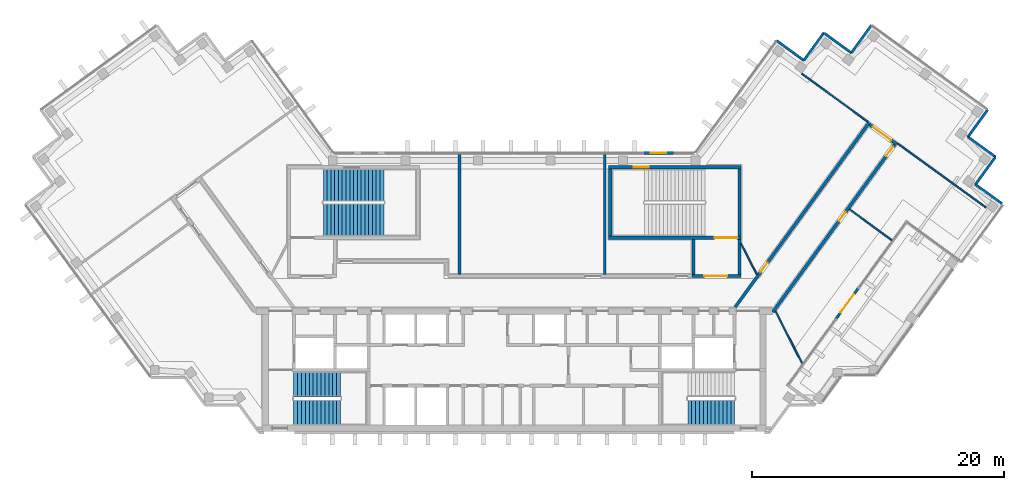
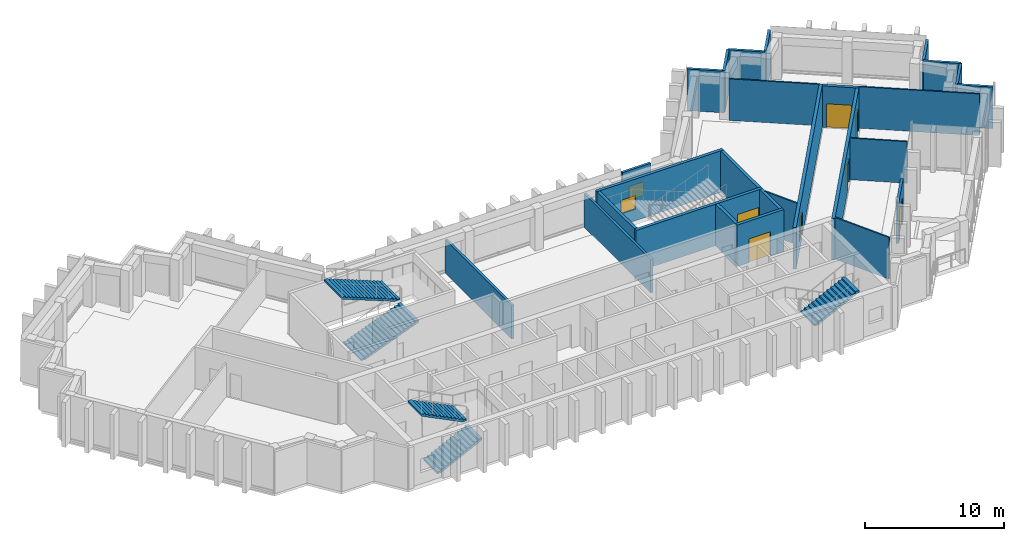
# One storey, part 8 of 11: 27 walls, 7 doors, 5 stair flights, 2 windows, 9 openings, 3 elements without a shape of their own.
"""IFC4 building model written with IfcOpenShell, lengths in metres."""

from ifc_helpers import new_model, si_unit, direction, frame, frame_2d, origin, place, context, subcontext, project, spatial, polyline, rectangle, outline, extrude, material, layer, layer_set, type_object, element, fill, aggregate, save


model = new_model("IFC4")

# Units and contexts
model_context = context("Model", 3, precision=1e-05, world=origin(), true_north=direction((0.0, 1.0)))
body_context = subcontext(model_context, "Body", "Model", "MODEL_VIEW")
ifc_project = project(units=[si_unit("LENGTHUNIT", "METRE"), si_unit("AREAUNIT", "SQUARE_METRE"), si_unit("VOLUMEUNIT", "CUBIC_METRE"), si_unit("PLANEANGLEUNIT", "RADIAN"), si_unit("MASSUNIT", "GRAM", prefix="KILO")], contexts=[model_context])

# Site, building, storey
site_placement = place(None, origin())
site = spatial("IfcSite", under=ifc_project, at=site_placement, CompositionType="ELEMENT")
building_placement = place(site_placement, origin())
building = spatial("IfcBuilding", under=site, at=building_placement, Name="Quipu Civic Tower", CompositionType="ELEMENT")
storey_placement = place(building_placement, frame((0.0, 0.0, 319.0)))
storey = spatial("IfcBuildingStorey", under=building, at=storey_placement, Name="L74", CompositionType="ELEMENT", Elevation=319.0)

# Walls
ifc_material_1 = material(Name="Fired clay blockwork", Category="masonry")
ifc_layer_1 = layer(ifc_material_1, 0.199951171875)
ifc_layer_set_1 = layer_set([ifc_layer_1], Name="Fired clay blockwork")
wall_type_1 = type_object("IfcWallType", Name="Blockwork wall 200", PredefinedType="SOLIDWALL", material=ifc_layer_set_1)
for number, where, z_axis, x_axis, name in (
    (1, (-4.339111328125, 1.449951171875, 0.0), (0.0, 0.0, 1.0), (0.0, 1.0, 0.0), "Partition P04"),
    (2, (7.197998046875, 1.449951171875, 0.0), (0.0, 0.0, 1.0), (-0.002377476217, 0.999997173799, 0.0), "Partition P08"),
):
    element("IfcWall", number, at=place(storey_placement, frame(where, z_axis=z_axis, x_axis=x_axis)), inside=storey, type_object=wall_type_1, Name=name, PredefinedType="SOLIDWALL", context=body_context, shape_type="SweptSolid", body=[
        extrude(rectangle(XDim=9.550048828125, YDim=0.199951171875, at=frame_2d((4.77490234375, 0.0))), origin(), (0.0, 0.0, 1.0), 2.949951171875),
    ])

# Wall, opening, door
ifc_material_2 = material(Name="Concrete C70/85", Category="concrete")
ifc_layer_2 = layer(ifc_material_2, 0.25)
ifc_layer_set_2 = layer_set([ifc_layer_2], Name="Concrete C70/85")
wall_type_2 = type_object("IfcWallType", Name="Core wall 250", PredefinedType="SHEAR", material=ifc_layer_set_2)
wall_1_placement = place(storey_placement, frame((14.10009765625, 1.324951171875, 0.0), z_axis=(0.0, 0.0, 1.0), x_axis=(1.0, 0.0, 0.0)))
wall_1 = element("IfcWall", 3, at=wall_1_placement, inside=storey, type_object=wall_type_2, Name="Core wall", PredefinedType="SHEAR", context=body_context, shape_type="SweptSolid", body=[
    extrude(rectangle(XDim=3.89990234375, YDim=0.25, at=frame_2d((1.949951171875, 0.0))), origin(), (0.0, 0.0, 1.0), 3.64990234375),
])
opening_1_placement = place(wall_1_placement, frame((1.0, 0.0, 0.0)))
opening_1 = element("IfcOpeningElement", 4, at=opening_1_placement, cuts=wall_1, Name="Opening CD-30", PredefinedType="OPENING", context=body_context, shape_type="SweptSolid", body=[
    extrude(rectangle(XDim=1.800048828125, YDim=2.10009765625, at=frame_2d((0.89990234375, 1.050048828125))), frame((0.0, 0.135009765625, 0.0), z_axis=(0.0, -1.0, 0.0), x_axis=(1.0, 0.0, 0.0)), (0.0, 0.0, 1.0), 0.27001953125),
])
ifc_material_3 = material(Name="Fire rated steel door", Category="steel")
door_type_1 = type_object("IfcDoorType", Name="Fire door FD90 double 1800 x 2100", OperationType="NOTDEFINED", PredefinedType="DOOR", material=ifc_material_3)
door_1_placement = place(opening_1_placement, origin())
door_1 = element("IfcDoor", 5, at=door_1_placement, inside=storey, type_object=door_type_1, Name="Lobby door", OperationType="DOUBLE_DOOR_SINGLE_SWING", OverallHeight=2.10009765625, OverallWidth=1.800048828125, PredefinedType="DOOR", context=body_context, shape_type="SweptSolid", body=[
    extrude(rectangle(XDim=1.800048828125, YDim=2.10009765625, at=frame_2d((0.89990234375, 1.050048828125))), frame((0.0, 0.02490234375, 0.0), z_axis=(0.0, -1.0, 0.0), x_axis=(1.0, 0.0, 0.0)), (0.0, 0.0, 1.0), 0.050048828125),
])
fill(opening_1, door_1)

# Walls
for number, where, z_axis, x_axis, name in (
    (6, (14.22509765625, 1.449951171875, 0.0), (0.0, 0.0, 1.0), (0.0, 1.0, 0.0), "Core wall"),
    (7, (17.875, 1.449951171875, 0.0), (0.0, 0.0, 1.0), (0.0, 1.0, 0.0), "Core wall"),
):
    element("IfcWall", number, at=place(storey_placement, frame(where, z_axis=z_axis, x_axis=x_axis)), inside=storey, type_object=wall_type_2, Name=name, PredefinedType="SHEAR", context=body_context, shape_type="SweptSolid", body=[
        extrude(rectangle(XDim=2.800048828125, YDim=0.25, at=frame_2d((1.39990234375, 0.0))), origin(), (0.0, 0.0, 1.0), 3.64990234375),
    ])

# Wall, opening, door
wall_2_placement = place(storey_placement, frame((7.5, 4.375, 0.0), z_axis=(0.0, 0.0, 1.0), x_axis=(1.0, 0.0, 0.0)))
wall_2 = element("IfcWall", 8, at=wall_2_placement, inside=storey, type_object=wall_type_2, Name="Core wall", PredefinedType="SHEAR", context=body_context, shape_type="SweptSolid", body=[
    extrude(rectangle(XDim=10.5, YDim=0.25, at=frame_2d((5.25, 0.0))), origin(), (0.0, 0.0, 1.0), 3.64990234375),
])
opening_2_placement = place(wall_2_placement, frame((8.39990234375, 0.0, 0.0)))
opening_2 = element("IfcOpeningElement", 9, at=opening_2_placement, cuts=wall_2, Name="Opening CD-31", PredefinedType="OPENING", context=body_context, shape_type="SweptSolid", body=[
    extrude(rectangle(XDim=1.800048828125, YDim=2.10009765625, at=frame_2d((0.89990234375, 1.050048828125))), frame((0.0, 0.135009765625, 0.0), z_axis=(0.0, -1.0, 0.0), x_axis=(1.0, 0.0, 0.0)), (0.0, 0.0, 1.0), 0.27001953125),
])
door_2_placement = place(opening_2_placement, origin())
door_2 = element("IfcDoor", 10, at=door_2_placement, inside=storey, type_object=door_type_1, Name="Door", OperationType="DOUBLE_DOOR_SINGLE_SWING", OverallHeight=2.10009765625, OverallWidth=1.800048828125, PredefinedType="DOOR", context=body_context, shape_type="SweptSolid", body=[
    extrude(rectangle(XDim=1.800048828125, YDim=2.10009765625, at=frame_2d((0.89990234375, 1.050048828125))), frame((0.0, 0.02490234375, 0.0), z_axis=(0.0, -1.0, 0.0), x_axis=(1.0, 0.0, 0.0)), (0.0, 0.0, 1.0), 0.050048828125),
])
fill(opening_2, door_2)

# Walls
for number, where, z_axis, x_axis, name in (
    (11, (7.625, 4.5, 0.0), (0.0, 0.0, 1.0), (0.0, 1.0, 0.0), "Core wall"),
    (12, (17.875, 4.5, 0.0), (0.0, 0.0, 1.0), (0.0, 1.0, 0.0), "Core wall"),
):
    element("IfcWall", number, at=place(storey_placement, frame(where, z_axis=z_axis, x_axis=x_axis)), inside=storey, type_object=wall_type_2, Name=name, PredefinedType="SHEAR", context=body_context, shape_type="SweptSolid", body=[
        extrude(rectangle(XDim=5.35009765625, YDim=0.25, at=frame_2d((2.675048828125, 0.0))), origin(), (0.0, 0.0, 1.0), 3.64990234375),
    ])

# Wall, opening, window
wall_3_placement = place(storey_placement, frame((7.5, 9.97509765625, 0.0), z_axis=(0.0, 0.0, 1.0), x_axis=(1.0, 0.0, 0.0)))
wall_3 = element("IfcWall", 13, at=wall_3_placement, inside=storey, type_object=wall_type_2, Name="Core wall", PredefinedType="SHEAR", context=body_context, shape_type="SweptSolid", body=[
    extrude(rectangle(XDim=10.5, YDim=0.25, at=frame_2d((5.25, 0.0))), origin(), (0.0, 0.0, 1.0), 3.64990234375),
])
opening_3_placement = place(wall_3_placement, frame((2.0, 0.0, 1.0)))
opening_3 = element("IfcOpeningElement", 14, at=opening_3_placement, cuts=wall_3, Name="Opening SV-4", PredefinedType="OPENING", context=body_context, shape_type="SweptSolid", body=[
    extrude(rectangle(XDim=1.199951171875, YDim=1.199951171875, at=frame_2d((0.60009765625, 0.60009765625))), frame((0.0, 0.135009765625, 0.0), z_axis=(0.0, -1.0, 0.0), x_axis=(1.0, 0.0, 0.0)), (0.0, 0.0, 1.0), 0.27001953125),
])
ifc_material_4 = material(Name="Aluminium louvre", Category="aluminium")
window_type_1 = type_object("IfcWindowType", Name="Stair ventilation louvre 1200 x 1200", PartitioningType="SINGLE_PANEL", PredefinedType="WINDOW", material=ifc_material_4)
window_1_placement = place(opening_3_placement, origin())
window_1 = element("IfcWindow", 15, at=window_1_placement, inside=storey, type_object=window_type_1, Name="Stair ventilation opening", OverallHeight=1.199951171875, OverallWidth=1.199951171875, PartitioningType="SINGLE_PANEL", PredefinedType="WINDOW", context=body_context, shape_type="SweptSolid", body=[
    extrude(rectangle(XDim=1.199951171875, YDim=1.199951171875, at=frame_2d((0.60009765625, 0.60009765625))), frame((0.0, 0.030029296875, 0.0), z_axis=(0.0, -1.0, 0.0), x_axis=(1.0, 0.0, 0.0)), (0.0, 0.0, 1.0), 0.06005859375),
])
fill(opening_3, window_1)

# Wall, opening, door
ifc_material_5 = material(Name="Concrete C50/60", Category="concrete")
ifc_layer_3 = layer(ifc_material_5, 0.25)
ifc_layer_set_3 = layer_set([ifc_layer_3], Name="Concrete C50/60")
wall_type_3 = type_object("IfcWallType", Name="Corridor wall 250 concrete", PredefinedType="SOLIDWALL", material=ifc_layer_set_3)
wall_4_placement = place(storey_placement, frame((17.544921875, -1.124755859375, 0.0), z_axis=(0.0, 0.0, 1.0), x_axis=(0.58779555165, 0.809009511354, 0.0)))
wall_4 = element("IfcWall", 16, at=wall_4_placement, inside=storey, type_object=wall_type_3, Name="Corridor wall C01", PredefinedType="SOLIDWALL", context=body_context, shape_type="SweptSolid", body=[
    extrude(rectangle(XDim=18.10302734375, YDim=0.25, at=frame_2d((9.051513671875, 0.0))), origin(), (0.0, 0.0, 1.0), 3.64990234375),
])
opening_4_placement = place(wall_4_placement, frame((3.44140625, 0.0, 0.0)))
opening_4 = element("IfcOpeningElement", 17, at=opening_4_placement, cuts=wall_4, Name="Opening D001", PredefinedType="OPENING", context=body_context, shape_type="SweptSolid", body=[
    extrude(rectangle(XDim=0.89990234375, YDim=2.10009765625, at=frame_2d((0.449951171875, 1.050048828125))), frame((0.0, 0.135009765625, 0.0), z_axis=(0.0, -1.0, 0.0), x_axis=(1.0, 0.0, 0.0)), (0.0, 0.0, 1.0), 0.27001953125),
])
ifc_material_6 = material(Name="Fire rated timber door set with metal frame", Category="wood")
door_type_2 = type_object("IfcDoorType", Name="Single door 900 x 2100 FD60", OperationType="NOTDEFINED", PredefinedType="DOOR", material=ifc_material_6)
door_3_placement = place(opening_4_placement, origin())
door_3 = element("IfcDoor", 18, at=door_3_placement, inside=storey, type_object=door_type_2, Name="Door D001", OperationType="SINGLE_SWING_LEFT", OverallHeight=2.10009765625, OverallWidth=0.89990234375, PredefinedType="DOOR", context=body_context, shape_type="SweptSolid", body=[
    extrude(rectangle(XDim=0.89990234375, YDim=2.10009765625, at=frame_2d((0.449951171875, 1.050048828125))), frame((0.0, 0.02490234375, 0.0), z_axis=(0.0, -1.0, 0.0), x_axis=(1.0, 0.0, 0.0)), (0.0, 0.0, 1.0), 0.050048828125),
])
fill(opening_4, door_3)

wall_5_placement = place(storey_placement, frame((28.21337890625, 13.34619140625, 0.0), z_axis=(0.0, 0.0, 1.0), x_axis=(0.809006914995, -0.587799125119, 0.0)))
wall_5 = element("IfcWall", 19, at=wall_5_placement, inside=storey, type_object=wall_type_3, Name="Corridor wall C02", PredefinedType="SOLIDWALL", context=body_context, shape_type="SweptSolid", body=[
    extrude(rectangle(XDim=2.64990234375, YDim=0.25, at=frame_2d((1.324951171875, 0.0))), origin(), (0.0, 0.0, 1.0), 3.64990234375),
])
opening_5_placement = place(wall_5_placement, frame((0.30029296875, 0.0, 0.0)))
opening_5 = element("IfcOpeningElement", 20, at=opening_5_placement, cuts=wall_5, Name="Opening D004", PredefinedType="OPENING", context=body_context, shape_type="SweptSolid", body=[
    extrude(rectangle(XDim=1.800048828125, YDim=2.10009765625, at=frame_2d((0.89990234375, 1.050048828125))), frame((0.0, 0.135009765625, 0.0), z_axis=(0.0, -1.0, 0.0), x_axis=(1.0, 0.0, 0.0)), (0.0, 0.0, 1.0), 0.27001953125),
])
ifc_material_7 = material(Name="Fire rated timber door set with metal frame", Category="wood")
door_type_3 = type_object("IfcDoorType", Name="Double door 1800 x 2100 FD60", OperationType="DOUBLE_DOOR_SINGLE_SWING", PredefinedType="DOOR", material=ifc_material_7)
door_4_placement = place(opening_5_placement, origin())
door_4 = element("IfcDoor", 21, at=door_4_placement, inside=storey, type_object=door_type_3, Name="Door D004", OperationType="DOUBLE_DOOR_SINGLE_SWING", OverallHeight=2.10009765625, OverallWidth=1.800048828125, PredefinedType="DOOR", context=body_context, shape_type="SweptSolid", body=[
    extrude(rectangle(XDim=1.800048828125, YDim=2.10009765625, at=frame_2d((0.89990234375, 1.050048828125))), frame((0.0, 0.02490234375, 0.0), z_axis=(0.0, -1.0, 0.0), x_axis=(1.0, 0.0, 0.0)), (0.0, 0.0, 1.0), 0.050048828125),
])
fill(opening_5, door_4)

# Wall, openings, doors
wall_6_placement = place(storey_placement, frame((30.1826171875, 11.760986328125, 0.0), z_axis=(0.0, 0.0, 1.0), x_axis=(-0.587781762867, -0.80901952958, 0.0)))
wall_6 = element("IfcWall", 22, at=wall_6_placement, inside=storey, type_object=wall_type_3, Name="Corridor wall C03", PredefinedType="SOLIDWALL", context=body_context, shape_type="SweptSolid", body=[
    extrude(rectangle(XDim=16.42041015625, YDim=0.25, at=frame_2d((8.210205078125, 0.0))), origin(), (0.0, 0.0, 1.0), 3.64990234375),
])
opening_6_placement = place(wall_6_placement, frame((0.224609375, 0.0, 0.0)))
opening_6 = element("IfcOpeningElement", 23, at=opening_6_placement, cuts=wall_6, Name="Opening D003", PredefinedType="OPENING", context=body_context, shape_type="SweptSolid", body=[
    extrude(rectangle(XDim=0.89990234375, YDim=2.10009765625, at=frame_2d((0.449951171875, 1.050048828125))), frame((0.0, 0.135009765625, 0.0), z_axis=(0.0, -1.0, 0.0), x_axis=(1.0, 0.0, 0.0)), (0.0, 0.0, 1.0), 0.27001953125),
])
opening_7_placement = place(wall_6_placement, frame((6.604736328125, 0.0, 0.0)))
opening_7 = element("IfcOpeningElement", 24, at=opening_7_placement, cuts=wall_6, Name="Opening D002", PredefinedType="OPENING", context=body_context, shape_type="SweptSolid", body=[
    extrude(rectangle(XDim=0.89990234375, YDim=2.10009765625, at=frame_2d((0.449951171875, 1.050048828125))), frame((0.0, 0.135009765625, 0.0), z_axis=(0.0, -1.0, 0.0), x_axis=(1.0, 0.0, 0.0)), (0.0, 0.0, 1.0), 0.27001953125),
])
door_5_placement = place(opening_6_placement, origin())
door_5 = element("IfcDoor", 25, at=door_5_placement, inside=storey, type_object=door_type_2, Name="Door D003", OperationType="SINGLE_SWING_LEFT", OverallHeight=2.10009765625, OverallWidth=0.89990234375, PredefinedType="DOOR", context=body_context, shape_type="SweptSolid", body=[
    extrude(rectangle(XDim=0.89990234375, YDim=2.10009765625, at=frame_2d((0.449951171875, 1.050048828125))), frame((0.0, 0.02490234375, 0.0), z_axis=(0.0, -1.0, 0.0), x_axis=(1.0, 0.0, 0.0)), (0.0, 0.0, 1.0), 0.050048828125),
])
fill(opening_6, door_5)
door_6_placement = place(opening_7_placement, origin())
door_6 = element("IfcDoor", 26, at=door_6_placement, inside=storey, type_object=door_type_2, Name="Door D002", OperationType="SINGLE_SWING_LEFT", OverallHeight=2.10009765625, OverallWidth=0.89990234375, PredefinedType="DOOR", context=body_context, shape_type="SweptSolid", body=[
    extrude(rectangle(XDim=0.89990234375, YDim=2.10009765625, at=frame_2d((0.449951171875, 1.050048828125))), frame((0.0, 0.02490234375, 0.0), z_axis=(0.0, -1.0, 0.0), x_axis=(1.0, 0.0, 0.0)), (0.0, 0.0, 1.0), 0.050048828125),
])
fill(opening_7, door_6)

# Walls
ifc_material_8 = material(Name="Gypsum plasterboard on light gauge framing")
ifc_layer_4 = layer(ifc_material_8, 0.1201171875)
ifc_layer_set_4 = layer_set([ifc_layer_4], Name="Gypsum plasterboard on light gauge framing")
wall_type_4 = type_object("IfcWallType", Name="Partition 120 plasterboard", PredefinedType="PARTITIONING", material=ifc_layer_set_4)
wall_7_placement = place(storey_placement, frame((28.0732421875, 13.577880859375, 0.0), z_axis=(0.0, 0.0, 1.0), x_axis=(-0.809000932727, 0.587807358619, 0.0)))
element("IfcWall", 27, at=wall_7_placement, inside=storey, type_object=wall_type_4, Name="Partition P01", PredefinedType="PARTITIONING", context=body_context, shape_type="SweptSolid", body=[
    extrude(rectangle(XDim=6.49560546875, YDim=0.1201171875, at=frame_2d((3.247802734375, 0.0))), origin(), (0.0, 0.0, 1.0), 3.64990234375),
])
wall_8_placement = place(storey_placement, frame((37.4580078125, 6.759765625, 0.0), z_axis=(0.0, 0.0, 1.0), x_axis=(-0.809016295501, 0.587786214209, 0.0)))
element("IfcWall", 28, at=wall_8_placement, inside=storey, type_object=wall_type_4, Name="Partition P02", PredefinedType="PARTITIONING", context=body_context, shape_type="SweptSolid", body=[
    extrude(rectangle(XDim=8.700439453125, YDim=0.1201171875, at=frame_2d((4.35009765625, 0.0))), origin(), (0.0, 0.0, 1.0), 3.64990234375),
])
wall_9_placement = place(storey_placement, frame((26.618896484375, 6.643310546875, 0.0), z_axis=(0.0, 0.0, 1.0), x_axis=(0.805298264495, -0.592869888931, 0.0)))
element("IfcWall", 29, at=wall_9_placement, inside=storey, type_object=wall_type_4, Name="Partition P03", PredefinedType="PARTITIONING", context=body_context, shape_type="SweptSolid", body=[
    extrude(rectangle(XDim=4.150146484375, YDim=0.1201171875, at=frame_2d((2.0751953125, 0.0))), origin(), (0.0, 0.0, 1.0), 3.64990234375),
])
wall_10_placement = place(storey_placement, frame((18.0, 3.925048828125, 0.0), z_axis=(0.0, 0.0, 1.0), x_axis=(0.453950796792, -0.891026752736, 0.0)))
element("IfcWall", 30, at=wall_10_placement, inside=storey, type_object=wall_type_4, Name="Partition P09", PredefinedType="PARTITIONING", context=body_context, shape_type="SweptSolid", body=[
    extrude(rectangle(XDim=2.77783203125, YDim=0.1201171875, at=frame_2d((1.388916015625, 0.0))), origin(), (0.0, 0.0, 1.0), 3.64990234375),
])
wall_11_placement = place(storey_placement, frame((20.739013671875, -1.449951171875, 0.0), z_axis=(0.0, 0.0, 1.0), x_axis=(0.453931312426, -0.891036679155, 0.0)))
element("IfcWall", 31, at=wall_11_placement, inside=storey, type_object=wall_type_4, Name="Partition P11", PredefinedType="PARTITIONING", context=body_context, shape_type="SweptSolid", body=[
    extrude(rectangle(XDim=4.628662109375, YDim=0.1201171875, at=frame_2d((2.314453125, 0.0))), origin(), (0.0, 0.0, 1.0), 3.64990234375),
])
ifc_material_9 = material(Name="Precast concrete C40/50", Category="concrete")
wall_type_5 = type_object("IfcWallType", Name="Precast cladding wall", PredefinedType="SOLIDWALL", material=ifc_material_9)
wall_12_placement = place(storey_placement, frame((38.73291015625, 7.069091796875, 0.0), z_axis=(0.0, 0.0, 1.0), x_axis=(-0.80901210161, 0.587791986546, 0.0)))
element("IfcWall", 32, at=wall_12_placement, inside=storey, type_object=wall_type_5, Name="Precast cladding wall L74 P01", PredefinedType="SOLIDWALL", context=body_context, shape_type="SweptSolid", body=[
    extrude(rectangle(XDim=2.60009765625, YDim=0.199951171875, at=frame_2d((1.300048828125, 0.0))), origin(), (0.0, 0.0, 1.0), 3.64990234375),
])
for number, where, z_axis, x_axis, name in (
    (33, (36.60205078125, 8.580322265625, 0.0), (0.0, 0.0, 1.0), (0.587822180636, 0.808990163075, 0.0), "Precast cladding wall L74 P02"),
    (34, (38.21630859375, 10.78173828125, 0.0), (0.0, 0.0, 1.0), (-0.809033161865, 0.587762999008, 0.0), "Precast cladding wall L74 P03"),
    (35, (36.0048828125, 12.3515625, 0.0), (0.0, 0.0, 1.0), (0.587762999008, 0.809033161865, 0.0), "Precast cladding wall L74 27"),
):
    element("IfcWall", number, at=place(storey_placement, frame(where, z_axis=z_axis, x_axis=x_axis)), inside=storey, type_object=wall_type_5, Name=name, PredefinedType="SOLIDWALL", context=body_context, shape_type="SweptSolid", body=[
        extrude(rectangle(XDim=2.699951171875, YDim=0.199951171875, at=frame_2d((1.35009765625, 0.0))), origin(), (0.0, 0.0, 1.0), 3.64990234375),
    ])
for number, where, z_axis, x_axis, name in (
    (36, (28.3544921875, 21.247314453125, 0.0), (0.0, 0.0, 1.0), (-0.587720002413, -0.809064397168, 0.0), "Precast cladding wall L74 29"),
    (37, (26.78466796875, 19.03564453125, 0.0), (0.0, 0.0, 1.0), (-0.809064397168, 0.587720002413, 0.0), "Precast cladding wall L74 30"),
):
    element("IfcWall", number, at=place(storey_placement, frame(where, z_axis=z_axis, x_axis=x_axis)), inside=storey, type_object=wall_type_5, Name=name, PredefinedType="SOLIDWALL", context=body_context, shape_type="SweptSolid", body=[
        extrude(rectangle(XDim=2.7001953125, YDim=0.199951171875, at=frame_2d((1.35009765625, 0.0))), origin(), (0.0, 0.0, 1.0), 3.64990234375),
    ])
for number, where, z_axis, x_axis, name in (
    (38, (24.583251953125, 20.64990234375, 0.0), (0.0, 0.0, 1.0), (-0.587762999008, -0.809033161865, 0.0), "Precast cladding wall L74 31"),
    (39, (23.01318359375, 18.438232421875, 0.0), (0.0, 0.0, 1.0), (-0.808990163075, 0.587822180636, 0.0), "Precast cladding wall L74 32"),
):
    element("IfcWall", number, at=place(storey_placement, frame(where, z_axis=z_axis, x_axis=x_axis)), inside=storey, type_object=wall_type_5, Name=name, PredefinedType="SOLIDWALL", context=body_context, shape_type="SweptSolid", body=[
        extrude(rectangle(XDim=2.699951171875, YDim=0.199951171875, at=frame_2d((1.35009765625, 0.0))), origin(), (0.0, 0.0, 1.0), 3.64990234375),
    ])

# Wall, opening, window
wall_13_placement = place(storey_placement, frame((12.655029296875, 11.10009765625, 0.0), z_axis=(0.0, 0.0, 1.0), x_axis=(-1.0, 0.0, 0.0)))
wall_13 = element("IfcWall", 40, at=wall_13_placement, inside=storey, type_object=wall_type_5, Name="Vent surround SF-L74-2", PredefinedType="SOLIDWALL", context=body_context, shape_type="SweptSolid", body=[
    extrude(rectangle(XDim=2.3916015625, YDim=0.199951171875, at=frame_2d((1.19580078125, 0.0))), origin(), (0.0, 0.0, 1.0), 3.64990234375),
])
opening_8_placement = place(wall_13_placement, frame((0.595703125, 0.0, 1.0)))
opening_8 = element("IfcOpeningElement", 41, at=opening_8_placement, cuts=wall_13, Name="Opening SF-L74-2", PredefinedType="OPENING", context=body_context, shape_type="SweptSolid", body=[
    extrude(rectangle(XDim=1.199951171875, YDim=1.199951171875, at=frame_2d((0.60009765625, 0.60009765625))), frame((0.0, 0.10986328125, 0.0), z_axis=(0.0, -1.0, 0.0), x_axis=(1.0, 0.0, 0.0)), (0.0, 0.0, 1.0), 0.219970703125),
])
ifc_material_10 = material(Name="Anodised aluminium louvre", Category="aluminium")
window_type_2 = type_object("IfcWindowType", Name="Stair vent louvre window P3", PartitioningType="SINGLE_PANEL", PredefinedType="WINDOW", material=ifc_material_10)
window_2_placement = place(opening_8_placement, origin())
window_2 = element("IfcWindow", 42, at=window_2_placement, inside=storey, type_object=window_type_2, Name="Stair vent louvre SF-L74-2", OverallHeight=1.199951171875, OverallWidth=1.199951171875, PartitioningType="SINGLE_PANEL", PredefinedType="WINDOW", context=body_context, shape_type="SweptSolid", body=[
    extrude(rectangle(XDim=1.199951171875, YDim=1.199951171875, at=frame_2d((0.60009765625, 0.60009765625))), frame((0.0, 0.030029296875, 0.0), z_axis=(0.0, -1.0, 0.0), x_axis=(1.0, 0.0, 0.0)), (0.0, 0.0, 1.0), 0.06005859375),
])
fill(opening_8, window_2)

# Wall, opening, door
ifc_material_11 = material(Name="Precast concrete C40/50", Category="concrete")
wall_type_6 = type_object("IfcWallType", Name="Precast door surround", PredefinedType="SOLIDWALL", material=ifc_material_11)
wall_14_placement = place(storey_placement, frame((27.30419921875, 0.35595703125, 0.0), z_axis=(0.0, 0.0, 1.0), x_axis=(-0.587774760134, -0.809024617271, 0.0)))
wall_14 = element("IfcWall", 43, at=wall_14_placement, inside=storey, type_object=wall_type_6, Name="Door surround ED-L74-1", PredefinedType="SOLIDWALL", context=body_context, shape_type="SweptSolid", body=[
    extrude(rectangle(XDim=2.962890625, YDim=0.199951171875, at=frame_2d((1.4814453125, 0.0))), origin(), (0.0, 0.0, 1.0), 3.64990234375),
])
opening_9_placement = place(wall_14_placement, frame((0.58154296875, 0.0, 0.0)))
opening_9 = element("IfcOpeningElement", 44, at=opening_9_placement, cuts=wall_14, Name="Opening ED-L74-1", PredefinedType="OPENING", context=body_context, shape_type="SweptSolid", body=[
    extrude(rectangle(XDim=1.800048828125, YDim=2.39990234375, at=frame_2d((0.89990234375, 1.199951171875))), frame((0.0, 0.10986328125, 0.0), z_axis=(0.0, -1.0, 0.0), x_axis=(1.0, 0.0, 0.0)), (0.0, 0.0, 1.0), 0.219970703125),
])
ifc_material_12 = material(Name="Aluminium framed glazed door", Category="aluminium")
door_type_4 = type_object("IfcDoorType", Name="Terrace door E3", OperationType="DOUBLE_DOOR_SINGLE_SWING", PredefinedType="DOOR", material=ifc_material_12)
door_7_placement = place(opening_9_placement, origin())
door_7 = element("IfcDoor", 45, at=door_7_placement, inside=storey, type_object=door_type_4, Name="E3 door ED-L74-1", OperationType="DOUBLE_DOOR_SINGLE_SWING", OverallHeight=2.39990234375, OverallWidth=1.800048828125, PredefinedType="DOOR", context=body_context, shape_type="SweptSolid", body=[
    extrude(rectangle(XDim=1.800048828125, YDim=2.39990234375, at=frame_2d((0.89990234375, 1.199951171875))), frame((0.0, 0.02490234375, 0.0), z_axis=(0.0, -1.0, 0.0), x_axis=(1.0, 0.0, 0.0)), (0.0, 0.0, 1.0), 0.050048828125),
])
fill(opening_9, door_7)

# Stair, stair flights
ifc_material_13 = material(Name="Concrete C40/50", Category="concrete")
stair_type_1 = type_object("IfcStairType", Name="Half turn stair 2000", PredefinedType="HALF_TURN_STAIR", material=ifc_material_13)
stair_1_placement = place(storey_placement, origin())
stair_1 = element("IfcStair", 46, at=stair_1_placement, inside=storey, type_object=stair_type_1, Name="Exit stair 1", PredefinedType="HALF_TURN_STAIR")
ifc_material_14 = material(Name="Concrete C40/50", Category="concrete")
stair_flight_type_1 = type_object("IfcStairFlightType", Name="Stair flight 2000", PredefinedType="STRAIGHT", material=ifc_material_14)
stair_flight_1_placement = place(storey_placement, frame((-17.5, -9.5, 0.0), z_axis=(0.0, 0.0, 1.0), x_axis=(1.0, 0.0, 0.0)))
stair_flight_1 = element("IfcStairFlight", 47, at=stair_flight_1_placement, type_object=stair_flight_type_1, Name="ST-1 flight 1", NumberOfRisers=13, NumberOfTreads=12, PredefinedType="STRAIGHT", RiserHeight=0.153846154, TreadLength=0.31, context=body_context, shape_type="SweptSolid", body=[
    extrude(outline(polyline([(0.0, 0.0), (0.0, 0.15380859375), (0.31005859375, 0.15380859375), (0.31005859375, 0.3076171875), (0.6201171875, 0.3076171875), (0.6201171875, 0.46142578125), (0.929931640625, 0.46142578125), (0.929931640625, 0.615478515625), (1.239990234375, 0.615478515625), (1.239990234375, 0.769287109375), (1.550048828125, 0.769287109375), (1.550048828125, 0.923095703125), (1.860107421875, 0.923095703125), (1.860107421875, 1.076904296875), (2.169921875, 1.076904296875), (2.169921875, 1.230712890625), (2.47998046875, 1.230712890625), (2.47998046875, 1.384521484375), (2.7900390625, 1.384521484375), (2.7900390625, 1.53857421875), (3.10009765625, 1.53857421875), (3.10009765625, 1.6923828125), (3.409912109375, 1.6923828125), (3.409912109375, 1.84619140625), (3.719970703125, 1.84619140625), (3.719970703125, 2.0), (3.719970703125, 1.6787109375), (0.337158203125, 0.0), (0.0, 0.0)])), frame((0.0, 1.0, 0.0), z_axis=(0.0, -1.0, 0.0), x_axis=(1.0, 0.0, 0.0)), (0.0, 0.0, 1.0), 2.0),
])
stair_flight_2_placement = place(storey_placement, frame((-13.780029296875, -7.25, 2.0), z_axis=(0.0, 0.0, 1.0), x_axis=(-1.0, 0.0, 0.0)))
stair_flight_2 = element("IfcStairFlight", 48, at=stair_flight_2_placement, type_object=stair_flight_type_1, Name="ST-1 flight 2", NumberOfRisers=13, NumberOfTreads=12, PredefinedType="STRAIGHT", RiserHeight=0.153846154, TreadLength=0.31, context=body_context, shape_type="SweptSolid", body=[
    extrude(outline(polyline([(0.0, 0.0), (0.0, 0.15380859375), (0.31005859375, 0.15380859375), (0.31005859375, 0.3076171875), (0.6201171875, 0.3076171875), (0.6201171875, 0.46142578125), (0.929931640625, 0.46142578125), (0.929931640625, 0.615478515625), (1.239990234375, 0.615478515625), (1.239990234375, 0.769287109375), (1.550048828125, 0.769287109375), (1.550048828125, 0.923095703125), (1.860107421875, 0.923095703125), (1.860107421875, 1.076904296875), (2.169921875, 1.076904296875), (2.169921875, 1.230712890625), (2.47998046875, 1.230712890625), (2.47998046875, 1.384521484375), (2.7900390625, 1.384521484375), (2.7900390625, 1.53857421875), (3.10009765625, 1.53857421875), (3.10009765625, 1.6923828125), (3.409912109375, 1.6923828125), (3.409912109375, 1.84619140625), (3.719970703125, 1.84619140625), (3.719970703125, 2.0), (3.719970703125, 1.6787109375), (0.337158203125, 0.0), (0.0, 0.0)])), frame((0.0, 1.0, 0.0), z_axis=(0.0, -1.0, 0.0), x_axis=(1.0, 0.0, 0.0)), (0.0, 0.0, 1.0), 2.0),
])
aggregate(stair_1, [stair_flight_1, stair_flight_2])

# Stair, stair flight
stair_2_placement = place(storey_placement, origin())
stair_2 = element("IfcStair", 49, at=stair_2_placement, inside=storey, type_object=stair_type_1, Name="Exit stair 2", PredefinedType="HALF_TURN_STAIR")
stair_flight_3_placement = place(storey_placement, frame((13.780029296875, -9.5, 2.0), z_axis=(0.0, 0.0, 1.0), x_axis=(1.0, 0.0, 0.0)))
stair_flight_3 = element("IfcStairFlight", 50, at=stair_flight_3_placement, type_object=stair_flight_type_1, Name="ST-2 flight 2", NumberOfRisers=13, NumberOfTreads=12, PredefinedType="STRAIGHT", RiserHeight=0.153846154, TreadLength=0.31, context=body_context, shape_type="SweptSolid", body=[
    extrude(outline(polyline([(0.0, 0.0), (0.0, 0.15380859375), (0.31005859375, 0.15380859375), (0.31005859375, 0.3076171875), (0.6201171875, 0.3076171875), (0.6201171875, 0.46142578125), (0.929931640625, 0.46142578125), (0.929931640625, 0.615478515625), (1.239990234375, 0.615478515625), (1.239990234375, 0.769287109375), (1.550048828125, 0.769287109375), (1.550048828125, 0.923095703125), (1.860107421875, 0.923095703125), (1.860107421875, 1.076904296875), (2.169921875, 1.076904296875), (2.169921875, 1.230712890625), (2.47998046875, 1.230712890625), (2.47998046875, 1.384521484375), (2.7900390625, 1.384521484375), (2.7900390625, 1.53857421875), (3.10009765625, 1.53857421875), (3.10009765625, 1.6923828125), (3.409912109375, 1.6923828125), (3.409912109375, 1.84619140625), (3.719970703125, 1.84619140625), (3.719970703125, 2.0), (3.719970703125, 1.6787109375), (0.337158203125, 0.0), (0.0, 0.0)])), frame((0.0, 1.0, 0.0), z_axis=(0.0, -1.0, 0.0), x_axis=(1.0, 0.0, 0.0)), (0.0, 0.0, 1.0), 2.0),
])
aggregate(stair_2, [stair_flight_3])

# Stair, stair flights
ifc_material_15 = material(Name="Concrete C40/50", Category="concrete")
stair_type_2 = type_object("IfcStairType", Name="Half turn stair 2600", PredefinedType="HALF_TURN_STAIR", material=ifc_material_15)
stair_3_placement = place(storey_placement, origin())
stair_3 = element("IfcStair", 51, at=stair_3_placement, inside=storey, type_object=stair_type_2, Name="Exit stair 3", PredefinedType="HALF_TURN_STAIR")
ifc_material_16 = material(Name="Concrete C40/50", Category="concrete")
stair_flight_type_2 = type_object("IfcStairFlightType", Name="Stair flight 2600", PredefinedType="STRAIGHT", material=ifc_material_16)
stair_flight_4_placement = place(storey_placement, frame((-15.14990234375, 5.800048828125, 0.0), z_axis=(0.0, 0.0, 1.0), x_axis=(1.0, 0.0, 0.0)))
stair_flight_4 = element("IfcStairFlight", 52, at=stair_flight_4_placement, type_object=stair_flight_type_2, Name="ST-3 flight 1", NumberOfRisers=17, NumberOfTreads=16, PredefinedType="STRAIGHT", RiserHeight=0.117647059, TreadLength=0.3, context=body_context, shape_type="SweptSolid", body=[
    extrude(outline(polyline([(0.0, 0.0), (0.0, 0.11767578125), (0.300048828125, 0.11767578125), (0.300048828125, 0.2353515625), (0.60009765625, 0.2353515625), (0.60009765625, 0.35302734375), (0.89990234375, 0.35302734375), (0.89990234375, 0.470703125), (1.199951171875, 0.470703125), (1.199951171875, 0.588134765625), (1.5, 0.588134765625), (1.5, 0.705810546875), (1.800048828125, 0.705810546875), (1.800048828125, 0.823486328125), (2.10009765625, 0.823486328125), (2.10009765625, 0.941162109375), (2.39990234375, 0.941162109375), (2.39990234375, 1.058837890625), (2.699951171875, 1.058837890625), (2.699951171875, 1.176513671875), (3.0, 1.176513671875), (3.0, 1.294189453125), (3.300048828125, 1.294189453125), (3.300048828125, 1.411865234375), (3.60009765625, 1.411865234375), (3.60009765625, 1.529296875), (3.89990234375, 1.529296875), (3.89990234375, 1.64697265625), (4.199951171875, 1.64697265625), (4.199951171875, 1.7646484375), (4.5, 1.7646484375), (4.5, 1.88232421875), (4.800048828125, 1.88232421875), (4.800048828125, 2.0), (4.800048828125, 1.721435546875), (0.41064453125, 0.0), (0.0, 0.0)])), frame((0.0, 1.300048828125, 0.0), z_axis=(0.0, -1.0, 0.0), x_axis=(1.0, 0.0, 0.0)), (0.0, 0.0, 1.0), 2.60009765625),
])
stair_flight_5_placement = place(storey_placement, frame((-10.35009765625, 8.550048828125, 2.0), z_axis=(0.0, 0.0, 1.0), x_axis=(-1.0, 0.0, 0.0)))
stair_flight_5 = element("IfcStairFlight", 53, at=stair_flight_5_placement, type_object=stair_flight_type_2, Name="ST-3 flight 2", NumberOfRisers=17, NumberOfTreads=16, PredefinedType="STRAIGHT", RiserHeight=0.117647059, TreadLength=0.3, context=body_context, shape_type="SweptSolid", body=[
    extrude(outline(polyline([(0.0, 0.0), (0.0, 0.11767578125), (0.300048828125, 0.11767578125), (0.300048828125, 0.2353515625), (0.60009765625, 0.2353515625), (0.60009765625, 0.35302734375), (0.89990234375, 0.35302734375), (0.89990234375, 0.470703125), (1.199951171875, 0.470703125), (1.199951171875, 0.588134765625), (1.5, 0.588134765625), (1.5, 0.705810546875), (1.800048828125, 0.705810546875), (1.800048828125, 0.823486328125), (2.10009765625, 0.823486328125), (2.10009765625, 0.941162109375), (2.39990234375, 0.941162109375), (2.39990234375, 1.058837890625), (2.699951171875, 1.058837890625), (2.699951171875, 1.176513671875), (3.0, 1.176513671875), (3.0, 1.294189453125), (3.300048828125, 1.294189453125), (3.300048828125, 1.411865234375), (3.60009765625, 1.411865234375), (3.60009765625, 1.529296875), (3.89990234375, 1.529296875), (3.89990234375, 1.64697265625), (4.199951171875, 1.64697265625), (4.199951171875, 1.7646484375), (4.5, 1.7646484375), (4.5, 1.88232421875), (4.800048828125, 1.88232421875), (4.800048828125, 2.0), (4.800048828125, 1.721435546875), (0.41064453125, 0.0), (0.0, 0.0)])), frame((0.0, 1.300048828125, 0.0), z_axis=(0.0, -1.0, 0.0), x_axis=(1.0, 0.0, 0.0)), (0.0, 0.0, 1.0), 2.60009765625),
])
aggregate(stair_3, [stair_flight_4, stair_flight_5])

save(model, "model.ifc")
